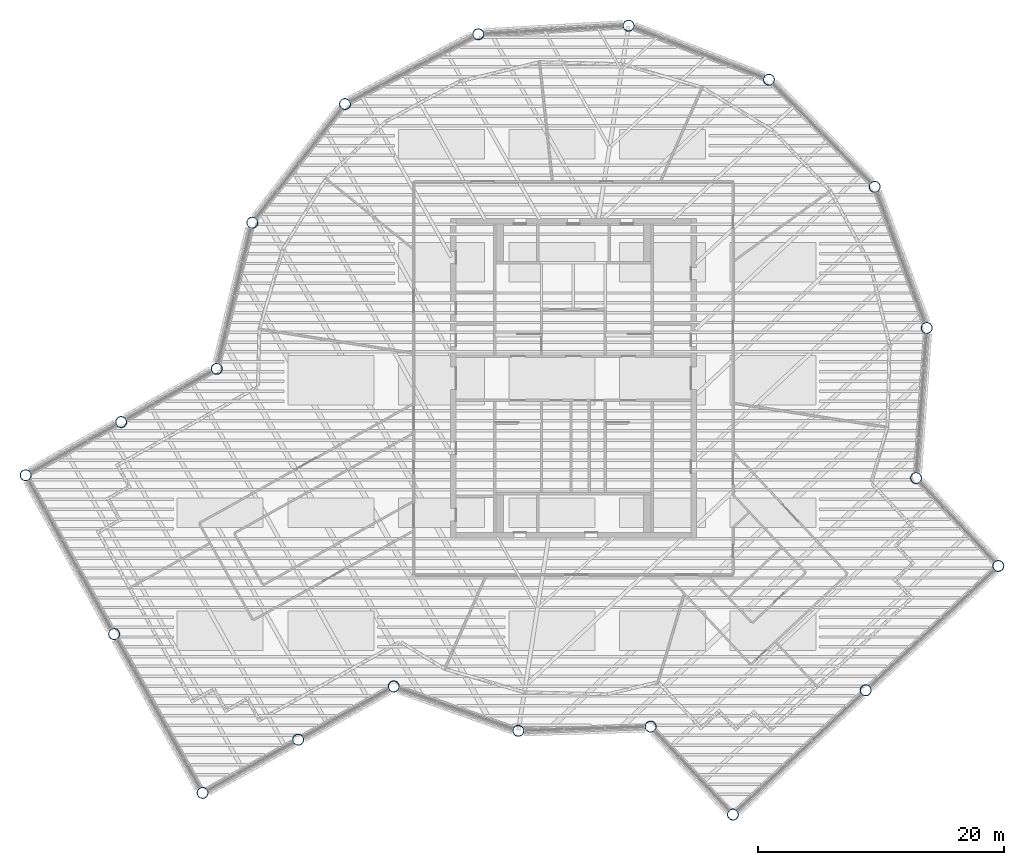
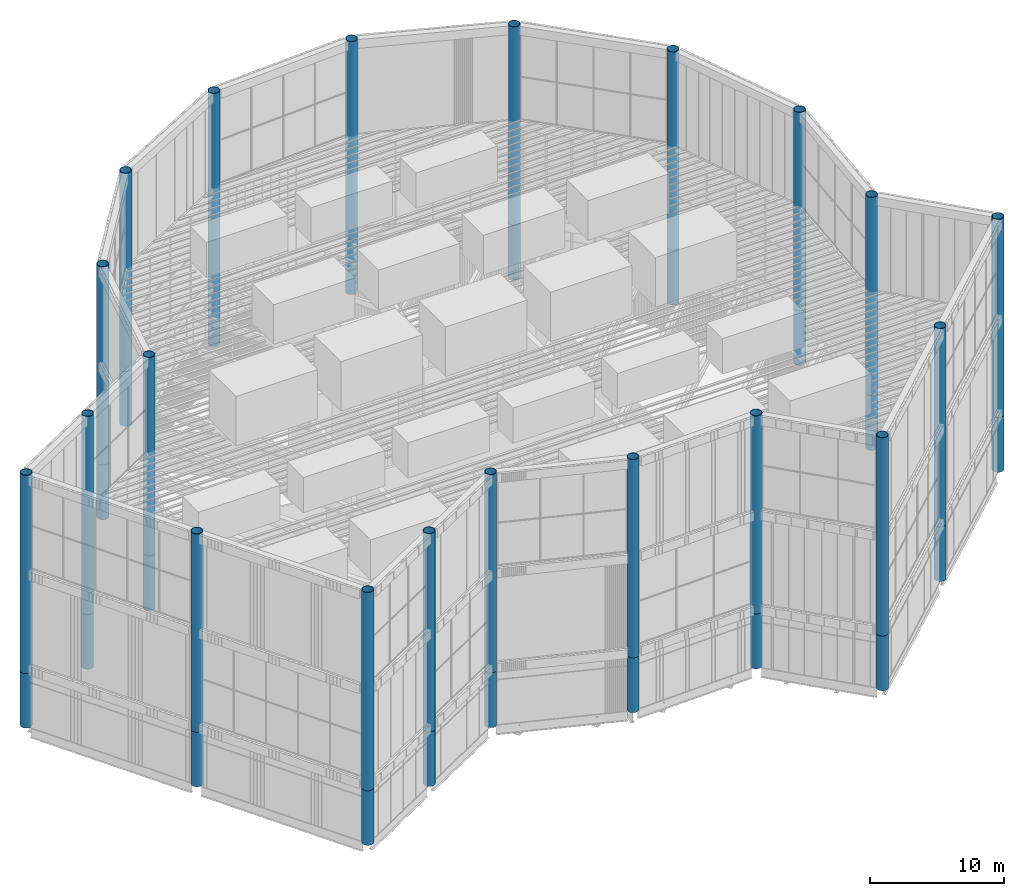
# One storey, part 1 of 117: 40 columns.
"""IFC4 building model written with IfcOpenShell, lengths in metres."""

from ifc_helpers import new_model, si_unit, direction, frame, origin, origin_2d, place, context, subcontext, project, spatial, hollow_circle, extrude, material, material_profile, profile_set, type_object, element, save


model = new_model("IFC4")

# Units and contexts
model_context = context("Model", 3, precision=1e-05, world=origin(), true_north=direction((0.0, 1.0)))
body_context = subcontext(model_context, "Body", "Model", "MODEL_VIEW")
ifc_project = project(units=[si_unit("LENGTHUNIT", "METRE"), si_unit("AREAUNIT", "SQUARE_METRE"), si_unit("VOLUMEUNIT", "CUBIC_METRE"), si_unit("PLANEANGLEUNIT", "RADIAN"), si_unit("MASSUNIT", "GRAM", prefix="KILO")], contexts=[model_context])

# Site, building, storey
site_placement = place(None, origin())
site = spatial("IfcSite", under=ifc_project, at=site_placement, CompositionType="ELEMENT")
building_placement = place(site_placement, origin())
building = spatial("IfcBuilding", under=site, at=building_placement, Name="Tarsis Ring Headquarters", CompositionType="ELEMENT")
storey_placement = place(building_placement, frame((0.0, 0.0, 403.60009765625)))
storey = spatial("IfcBuildingStorey", under=building, at=storey_placement, Name="L95", CompositionType="ELEMENT", Elevation=403.60009765625)

# Columns
ifc_material = material(Name="Structural steel S355", Category="steel")
ifc_material_profile = material_profile(ifc_material, hollow_circle(Radius=0.45703125, WallThickness=0.0400390625, at=origin_2d()), Name="CHS 914x40")
ifc_profile_set = profile_set([ifc_material_profile], Name="Structural steel S355")
column_type_1 = type_object("IfcColumnType", Name="Crown frame post CHS 914x40", PredefinedType="COLUMN", material=ifc_profile_set)
for number, where, z_axis, x_axis, name in (
    (1, (-4.484130859375, -28.700439453125, 5.0), (0.0, 0.0, 1.0), (1.0, 0.0, 0.0), "Crown frame post 1"),
    (2, (6.2822265625, -28.361083984375, 5.0), (0.0, 0.0, 1.0), (1.0, 0.0, 0.0), "Crown frame post 2"),
    (3, (12.98388671875, -35.517578125, 5.0), (0.0, 0.0, 1.0), (1.0, 0.0, 0.0), "Crown frame post 3"),
    (4, (23.786865234375, -25.4013671875, 5.0), (0.0, 0.0, 1.0), (1.0, 0.0, 0.0), "Crown frame post 4"),
    (5, (34.589599609375, -15.28515625, 5.0), (0.0, 0.0, 1.0), (1.0, 0.0, 0.0), "Crown frame post 5"),
    (6, (27.887939453125, -8.128662109375, 5.0), (0.0, 0.0, 1.0), (1.0, 0.0, 0.0), "Crown frame post 6"),
    (7, (28.75927734375, 4.089111328125, 5.0), (0.0, 0.0, 1.0), (1.0, 0.0, 0.0), "Crown frame post 7"),
    (8, (24.516845703125, 15.580078125, 5.0), (0.0, 0.0, 1.0), (1.0, 0.0, 0.0), "Crown frame post 8"),
    (9, (15.91552734375, 24.300537109375, 5.0), (0.0, 0.0, 1.0), (1.0, 0.0, 0.0), "Crown frame post 9"),
    (10, (4.484130859375, 28.700439453125, 5.0), (0.0, 0.0, 1.0), (1.0, 0.0, 0.0), "Crown frame post 10"),
    (11, (-7.74462890625, 27.9970703125, 5.0), (0.0, 0.0, 1.0), (1.0, 0.0, 0.0), "Crown frame post 11"),
    (12, (-18.59619140625, 22.31591796875, 5.0), (0.0, 0.0, 1.0), (1.0, 0.0, 0.0), "Crown frame post 12"),
    (13, (-26.141357421875, 12.666748046875, 5.0), (0.0, 0.0, 1.0), (1.0, 0.0, 0.0), "Crown frame post 13"),
    (14, (-29.038330078125, 0.765380859375, 5.0), (0.0, 0.0, 1.0), (1.0, 0.0, 0.0), "Crown frame post 14"),
    (15, (-36.8154296875, -3.566650390625, 5.0), (0.0, 0.0, 1.0), (1.0, 0.0, 0.0), "Crown frame post 15"),
    (16, (-44.592529296875, -7.89892578125, 5.0), (0.0, 0.0, 1.0), (1.0, 0.0, 0.0), "Crown frame post 16"),
    (17, (-37.39013671875, -20.828125, 5.0), (0.0, 0.0, 1.0), (1.0, 0.0, 0.0), "Crown frame post 17"),
    (18, (-30.18798828125, -33.757568359375, 5.0), (0.0, 0.0, 1.0), (1.0, 0.0, 0.0), "Crown frame post 18"),
    (19, (-22.410888671875, -29.42529296875, 5.0), (0.0, 0.0, 1.0), (1.0, 0.0, 0.0), "Crown frame post 19"),
    (20, (-14.6337890625, -25.09326171875, 5.0), (0.0, 0.0, 1.0), (1.0, 0.0, 0.0), "Crown frame post 20"),
):
    element("IfcColumn", number, at=place(storey_placement, frame(where, z_axis=z_axis, x_axis=x_axis)), inside=storey, type_object=column_type_1, Name=name, PredefinedType="COLUMN", context=body_context, shape_type="SweptSolid", body=[
        extrude(hollow_circle(Radius=0.45703125, WallThickness=0.0400390625, at=origin_2d()), origin(), (0.0, 0.0, 1.0), 18.0),
    ])
column_type_2 = type_object("IfcColumnType", Name="XC Exo column CHS 914x40", PredefinedType="COLUMN", material=ifc_profile_set)
column_1_placement = place(storey_placement, frame((-4.484130859375, -28.700439453125, 0.03173828125), z_axis=(0.0, 0.0, 1.0), x_axis=(1.0, 0.0, 0.0)))
element("IfcColumn", 21, at=column_1_placement, inside=storey, type_object=column_type_2, Name="Exo column XC8 F1", PredefinedType="COLUMN", context=body_context, shape_type="SweptSolid", body=[
    extrude(hollow_circle(Radius=0.457275390625, WallThickness=0.0400390625, at=origin_2d()), origin(), (0.0, 0.0, 1.0), 4.96826171875),
])
column_2_placement = place(storey_placement, frame((6.2822265625, -28.361083984375, 0.031005859375), z_axis=(0.0, 0.0, 1.0), x_axis=(1.0, 0.0, 0.0)))
element("IfcColumn", 22, at=column_2_placement, inside=storey, type_object=column_type_2, Name="Exo column XC8 AK", PredefinedType="COLUMN", context=body_context, shape_type="SweptSolid", body=[
    extrude(hollow_circle(Radius=0.457275390625, WallThickness=0.0400390625, at=origin_2d()), origin(), (0.0, 0.0, 1.0), 4.968994140625),
])
column_3_placement = place(storey_placement, frame((12.98388671875, -35.517578125, 0.037841796875), z_axis=(0.0, 0.0, 1.0), x_axis=(1.0, 0.0, 0.0)))
element("IfcColumn", 23, at=column_3_placement, inside=storey, type_object=column_type_2, Name="Exo column XC8 AT1", PredefinedType="COLUMN", context=body_context, shape_type="SweptSolid", body=[
    extrude(hollow_circle(Radius=0.457275390625, WallThickness=0.0400390625, at=origin_2d()), origin(), (0.0, 0.0, 1.0), 4.962158203125),
])
column_4_placement = place(storey_placement, frame((23.786865234375, -25.4013671875, 0.0400390625), z_axis=(0.0, 0.0, 1.0), x_axis=(1.0, 0.0, 0.0)))
element("IfcColumn", 24, at=column_4_placement, inside=storey, type_object=column_type_2, Name="Exo column XC8 AT2", PredefinedType="COLUMN", context=body_context, shape_type="SweptSolid", body=[
    extrude(hollow_circle(Radius=0.457275390625, WallThickness=0.0400390625, at=origin_2d()), origin(), (0.0, 0.0, 1.0), 4.9599609375),
])
column_5_placement = place(storey_placement, frame((34.589599609375, -15.28515625, 0.03759765625), z_axis=(0.0, 0.0, 1.0), x_axis=(1.0, 0.0, 0.0)))
element("IfcColumn", 25, at=column_5_placement, inside=storey, type_object=column_type_2, Name="Exo column XC8 AT3", PredefinedType="COLUMN", context=body_context, shape_type="SweptSolid", body=[
    extrude(hollow_circle(Radius=0.457275390625, WallThickness=0.0400390625, at=origin_2d()), origin(), (0.0, 0.0, 1.0), 4.96240234375),
])
column_6_placement = place(storey_placement, frame((27.887939453125, -8.128662109375, 0.02978515625), z_axis=(0.0, 0.0, 1.0), x_axis=(1.0, 0.0, 0.0)))
element("IfcColumn", 26, at=column_6_placement, inside=storey, type_object=column_type_2, Name="Exo column XC8 AJ", PredefinedType="COLUMN", context=body_context, shape_type="SweptSolid", body=[
    extrude(hollow_circle(Radius=0.457275390625, WallThickness=0.0400390625, at=origin_2d()), origin(), (0.0, 0.0, 1.0), 4.97021484375),
])
column_7_placement = place(storey_placement, frame((28.75927734375, 4.089111328125, 0.031982421875), z_axis=(0.0, 0.0, 1.0), x_axis=(1.0, 0.0, 0.0)))
element("IfcColumn", 27, at=column_7_placement, inside=storey, type_object=column_type_2, Name="Exo column XC8 R1", PredefinedType="COLUMN", context=body_context, shape_type="SweptSolid", body=[
    extrude(hollow_circle(Radius=0.457275390625, WallThickness=0.0400390625, at=origin_2d()), origin(), (0.0, 0.0, 1.0), 4.968017578125),
])
column_8_placement = place(storey_placement, frame((24.516845703125, 15.580078125, 0.03076171875), z_axis=(0.0, 0.0, 1.0), x_axis=(1.0, 0.0, 0.0)))
element("IfcColumn", 28, at=column_8_placement, inside=storey, type_object=column_type_2, Name="Exo column XC8 R2", PredefinedType="COLUMN", context=body_context, shape_type="SweptSolid", body=[
    extrude(hollow_circle(Radius=0.457275390625, WallThickness=0.0400390625, at=origin_2d()), origin(), (0.0, 0.0, 1.0), 4.96923828125),
])
column_9_placement = place(storey_placement, frame((15.91552734375, 24.300537109375, 0.03125), z_axis=(0.0, 0.0, 1.0), x_axis=(1.0, 0.0, 0.0)))
element("IfcColumn", 29, at=column_9_placement, inside=storey, type_object=column_type_2, Name="Exo column XC8 R3", PredefinedType="COLUMN", context=body_context, shape_type="SweptSolid", body=[
    extrude(hollow_circle(Radius=0.457275390625, WallThickness=0.0400390625, at=origin_2d()), origin(), (0.0, 0.0, 1.0), 4.96875),
])
column_10_placement = place(storey_placement, frame((4.484130859375, 28.700439453125, 0.03173828125), z_axis=(0.0, 0.0, 1.0), x_axis=(1.0, 0.0, 0.0)))
element("IfcColumn", 30, at=column_10_placement, inside=storey, type_object=column_type_2, Name="Exo column XC8 R4", PredefinedType="COLUMN", context=body_context, shape_type="SweptSolid", body=[
    extrude(hollow_circle(Radius=0.457275390625, WallThickness=0.0400390625, at=origin_2d()), origin(), (0.0, 0.0, 1.0), 4.96826171875),
])
column_11_placement = place(storey_placement, frame((-7.74462890625, 27.9970703125, 0.0302734375), z_axis=(0.0, 0.0, 1.0), x_axis=(1.0, 0.0, 0.0)))
element("IfcColumn", 31, at=column_11_placement, inside=storey, type_object=column_type_2, Name="Exo column XC8 R5", PredefinedType="COLUMN", context=body_context, shape_type="SweptSolid", body=[
    extrude(hollow_circle(Radius=0.457275390625, WallThickness=0.0400390625, at=origin_2d()), origin(), (0.0, 0.0, 1.0), 4.9697265625),
])
column_12_placement = place(storey_placement, frame((-18.59619140625, 22.31591796875, 0.032470703125), z_axis=(0.0, 0.0, 1.0), x_axis=(1.0, 0.0, 0.0)))
element("IfcColumn", 32, at=column_12_placement, inside=storey, type_object=column_type_2, Name="Exo column XC8 R6", PredefinedType="COLUMN", context=body_context, shape_type="SweptSolid", body=[
    extrude(hollow_circle(Radius=0.457275390625, WallThickness=0.0400390625, at=origin_2d()), origin(), (0.0, 0.0, 1.0), 4.967529296875),
])
column_13_placement = place(storey_placement, frame((-26.141357421875, 12.666748046875, 0.029541015625), z_axis=(0.0, 0.0, 1.0), x_axis=(1.0, 0.0, 0.0)))
element("IfcColumn", 33, at=column_13_placement, inside=storey, type_object=column_type_2, Name="Exo column XC8 R7", PredefinedType="COLUMN", context=body_context, shape_type="SweptSolid", body=[
    extrude(hollow_circle(Radius=0.457275390625, WallThickness=0.0400390625, at=origin_2d()), origin(), (0.0, 0.0, 1.0), 4.970458984375),
])
column_14_placement = place(storey_placement, frame((-29.038330078125, 0.765380859375, 0.03369140625), z_axis=(0.0, 0.0, 1.0), x_axis=(1.0, 0.0, 0.0)))
element("IfcColumn", 34, at=column_14_placement, inside=storey, type_object=column_type_2, Name="Exo column XC8 BJ", PredefinedType="COLUMN", context=body_context, shape_type="SweptSolid", body=[
    extrude(hollow_circle(Radius=0.457275390625, WallThickness=0.0400390625, at=origin_2d()), origin(), (0.0, 0.0, 1.0), 4.96630859375),
])
column_15_placement = place(storey_placement, frame((-36.8154296875, -3.566650390625, 0.04150390625), z_axis=(0.0, 0.0, 1.0), x_axis=(1.0, 0.0, 0.0)))
element("IfcColumn", 35, at=column_15_placement, inside=storey, type_object=column_type_2, Name="Exo column XC8 BO1", PredefinedType="COLUMN", context=body_context, shape_type="SweptSolid", body=[
    extrude(hollow_circle(Radius=0.457275390625, WallThickness=0.0400390625, at=origin_2d()), origin(), (0.0, 0.0, 1.0), 4.95849609375),
])
column_16_placement = place(storey_placement, frame((-44.592529296875, -7.89892578125, 0.048828125), z_axis=(0.0, 0.0, 1.0), x_axis=(1.0, 0.0, 0.0)))
element("IfcColumn", 36, at=column_16_placement, inside=storey, type_object=column_type_2, Name="Exo column XC8 BT3", PredefinedType="COLUMN", context=body_context, shape_type="SweptSolid", body=[
    extrude(hollow_circle(Radius=0.457275390625, WallThickness=0.0400390625, at=origin_2d()), origin(), (0.0, 0.0, 1.0), 4.951171875),
])
column_17_placement = place(storey_placement, frame((-37.39013671875, -20.828125, 0.0439453125), z_axis=(0.0, 0.0, 1.0), x_axis=(1.0, 0.0, 0.0)))
element("IfcColumn", 37, at=column_17_placement, inside=storey, type_object=column_type_2, Name="Exo column XC8 BT2", PredefinedType="COLUMN", context=body_context, shape_type="SweptSolid", body=[
    extrude(hollow_circle(Radius=0.457275390625, WallThickness=0.0400390625, at=origin_2d()), origin(), (0.0, 0.0, 1.0), 4.9560546875),
])
column_18_placement = place(storey_placement, frame((-30.18798828125, -33.757568359375, 0.0517578125), z_axis=(0.0, 0.0, 1.0), x_axis=(1.0, 0.0, 0.0)))
element("IfcColumn", 38, at=column_18_placement, inside=storey, type_object=column_type_2, Name="Exo column XC8 BT1", PredefinedType="COLUMN", context=body_context, shape_type="SweptSolid", body=[
    extrude(hollow_circle(Radius=0.457275390625, WallThickness=0.0400390625, at=origin_2d()), origin(), (0.0, 0.0, 1.0), 4.9482421875),
])
column_19_placement = place(storey_placement, frame((-22.410888671875, -29.42529296875, 0.040771484375), z_axis=(0.0, 0.0, 1.0), x_axis=(1.0, 0.0, 0.0)))
element("IfcColumn", 39, at=column_19_placement, inside=storey, type_object=column_type_2, Name="Exo column XC8 BI1", PredefinedType="COLUMN", context=body_context, shape_type="SweptSolid", body=[
    extrude(hollow_circle(Radius=0.457275390625, WallThickness=0.0400390625, at=origin_2d()), origin(), (0.0, 0.0, 1.0), 4.959228515625),
])
column_20_placement = place(storey_placement, frame((-14.6337890625, -25.09326171875, 0.030517578125), z_axis=(0.0, 0.0, 1.0), x_axis=(1.0, 0.0, 0.0)))
element("IfcColumn", 40, at=column_20_placement, inside=storey, type_object=column_type_2, Name="Exo column XC8 BK", PredefinedType="COLUMN", context=body_context, shape_type="SweptSolid", body=[
    extrude(hollow_circle(Radius=0.457275390625, WallThickness=0.0400390625, at=origin_2d()), origin(), (0.0, 0.0, 1.0), 4.969482421875),
])

save(model, "model.ifc")
